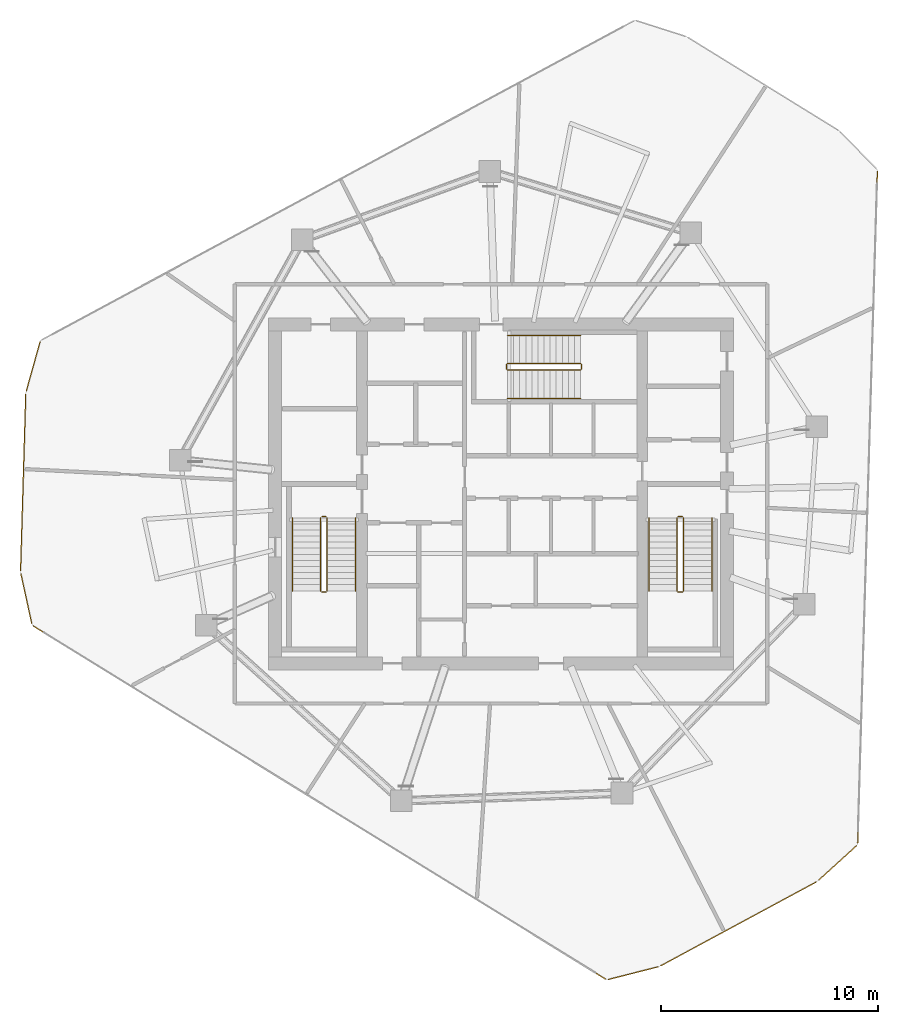
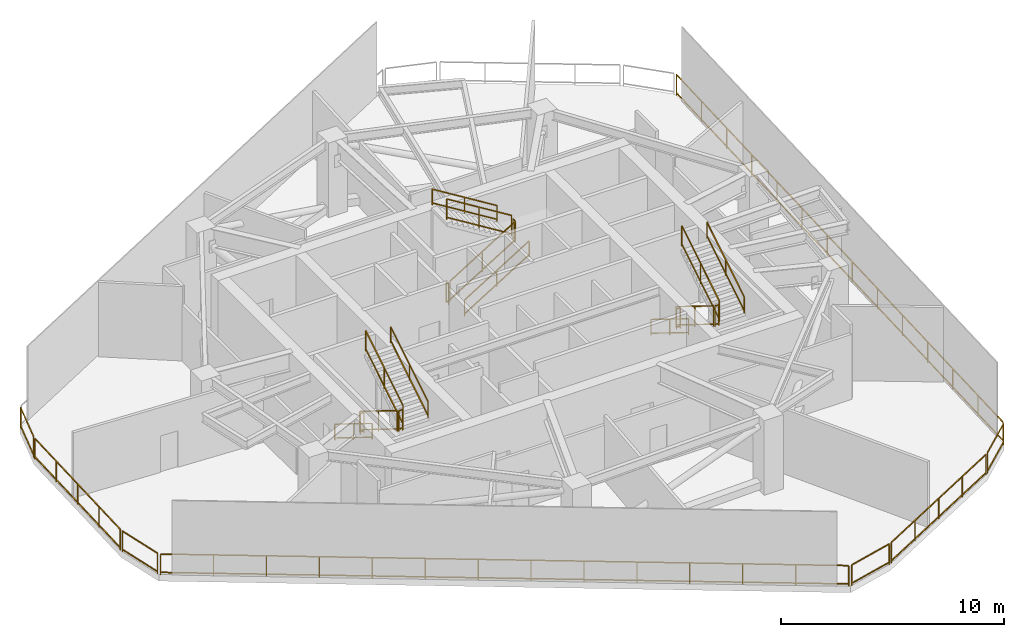
# One storey, part 5 of 6: 26 railings.
"""IFC4 building model written with IfcOpenShell, lengths in metres."""

from ifc_helpers import new_model, si_unit, direction, frame, origin, origin_2d, place, context, subcontext, project, spatial, rectangle, extrude, material, type_object, element, save


model = new_model("IFC4")

# Units and contexts
model_context = context("Model", 3, precision=1e-05, world=origin(), true_north=direction((0.0, 1.0)))
body_context = subcontext(model_context, "Body", "Model", "MODEL_VIEW")
ifc_project = project(units=[si_unit("LENGTHUNIT", "METRE"), si_unit("AREAUNIT", "SQUARE_METRE"), si_unit("VOLUMEUNIT", "CUBIC_METRE"), si_unit("PLANEANGLEUNIT", "RADIAN"), si_unit("MASSUNIT", "GRAM", prefix="KILO")], contexts=[model_context])

# Site, building, storey
site_placement = place(None, origin())
site = spatial("IfcSite", under=ifc_project, at=site_placement, CompositionType="ELEMENT")
building_placement = place(site_placement, origin())
building = spatial("IfcBuilding", under=site, at=building_placement, Name="Qarnah Convention Tower", CompositionType="ELEMENT")
storey_placement = place(building_placement, frame((0.0, 0.0, 172.5)))
storey = spatial("IfcBuildingStorey", under=building, at=storey_placement, Name="L46", CompositionType="ELEMENT", Elevation=172.5)

# Railings
ifc_material_1 = material(Name="Black anodised aluminium", Category="aluminium")
railing_type_1 = type_object("IfcRailingType", Name="RL-EXT-GUARD-1150", PredefinedType="GUARDRAIL", material=ifc_material_1)
railing_1_placement = place(storey_placement, frame((54.52294921875, 41.240966796875, 0.0)))
element("IfcRailing", 1, at=railing_1_placement, inside=storey, type_object=railing_type_1, Name="L46 open refuge and plant deck perimeter guard 03", PredefinedType="GUARDRAIL", context=body_context, shape_type="SweptSolid", body=[
    extrude(rectangle(XDim=0.048095703125, YDim=0.048095703125, at=origin_2d()), frame((0.0, 0.0, 1.1259765625), z_axis=(-0.029333849359, -0.999569670049, 0.0), x_axis=(0.999569670049, -0.029333849359, 0.0)), (0.0, 0.0, 1.0), 30.919189453125),
    extrude(rectangle(XDim=0.048095703125, YDim=0.048095703125, at=origin_2d()), frame((0.0, 0.0, 0.1201171875), z_axis=(-0.029333849359, -0.999569670049, 0.0), x_axis=(0.999569670049, -0.029333849359, 0.0)), (0.0, 0.0, 1.0), 30.919189453125),
    extrude(rectangle(XDim=0.0419921875, YDim=0.0419921875, at=origin_2d()), origin(), (0.0, 0.0, 1.0), 1.101806640625),
    extrude(rectangle(XDim=0.0419921875, YDim=0.0419921875, at=origin_2d()), frame((-0.06982421875, -2.37744140625, 0.0)), (0.0, 0.0, 1.0), 1.101806640625),
    extrude(rectangle(XDim=0.0419921875, YDim=0.0419921875, at=origin_2d()), frame((-0.1396484375, -4.7548828125, 0.0)), (0.0, 0.0, 1.0), 1.101806640625),
    extrude(rectangle(XDim=0.0419921875, YDim=0.0419921875, at=origin_2d()), frame((-0.209228515625, -7.132080078125, 0.0)), (0.0, 0.0, 1.0), 1.101806640625),
    extrude(rectangle(XDim=0.0419921875, YDim=0.0419921875, at=origin_2d()), frame((-0.279052734375, -9.509521484375, 0.0)), (0.0, 0.0, 1.0), 1.101806640625),
    extrude(rectangle(XDim=0.0419921875, YDim=0.0419921875, at=origin_2d()), frame((-0.348876953125, -11.886962890625, 0.0)), (0.0, 0.0, 1.0), 1.101806640625),
    extrude(rectangle(XDim=0.0419921875, YDim=0.0419921875, at=origin_2d()), frame((-0.418701171875, -14.264404296875, 0.0)), (0.0, 0.0, 1.0), 1.101806640625),
    extrude(rectangle(XDim=0.0419921875, YDim=0.0419921875, at=origin_2d()), frame((-0.48828125, -16.6416015625, 0.0)), (0.0, 0.0, 1.0), 1.101806640625),
    extrude(rectangle(XDim=0.0419921875, YDim=0.0419921875, at=origin_2d()), frame((-0.55810546875, -19.01904296875, 0.0)), (0.0, 0.0, 1.0), 1.101806640625),
    extrude(rectangle(XDim=0.0419921875, YDim=0.0419921875, at=origin_2d()), frame((-0.6279296875, -21.396484375, 0.0)), (0.0, 0.0, 1.0), 1.101806640625),
    extrude(rectangle(XDim=0.0419921875, YDim=0.0419921875, at=origin_2d()), frame((-0.69775390625, -23.77392578125, 0.0)), (0.0, 0.0, 1.0), 1.101806640625),
    extrude(rectangle(XDim=0.0419921875, YDim=0.0419921875, at=origin_2d()), frame((-0.767333984375, -26.151123046875, 0.0)), (0.0, 0.0, 1.0), 1.101806640625),
    extrude(rectangle(XDim=0.0419921875, YDim=0.0419921875, at=origin_2d()), frame((-0.837158203125, -28.528564453125, 0.0)), (0.0, 0.0, 1.0), 1.101806640625),
    extrude(rectangle(XDim=0.0419921875, YDim=0.0419921875, at=origin_2d()), frame((-0.906982421875, -30.906005859375, 0.0)), (0.0, 0.0, 1.0), 1.101806640625),
])
railing_2_placement = place(storey_placement, frame((53.554931640625, 10.200927734375, 0.0)))
element("IfcRailing", 2, at=railing_2_placement, inside=storey, type_object=railing_type_1, Name="L46 open refuge and plant deck perimeter guard 04", PredefinedType="GUARDRAIL", context=body_context, shape_type="SweptSolid", body=[
    extrude(rectangle(XDim=0.048095703125, YDim=0.048095703125, at=origin_2d()), frame((0.0, 0.0, 1.1259765625), z_axis=(-0.739577341628, -0.673071582931, 0.0), x_axis=(0.673071582931, -0.739577341628, 0.0)), (0.0, 0.0, 1.0), 2.345703125),
    extrude(rectangle(XDim=0.048095703125, YDim=0.048095703125, at=origin_2d()), frame((0.0, 0.0, 0.1201171875), z_axis=(-0.739577341628, -0.673071582931, 0.0), x_axis=(0.673071582931, -0.739577341628, 0.0)), (0.0, 0.0, 1.0), 2.345703125),
    extrude(rectangle(XDim=0.0419921875, YDim=0.0419921875, at=origin_2d()), origin(), (0.0, 0.0, 1.0), 1.101806640625),
    extrude(rectangle(XDim=0.0419921875, YDim=0.0419921875, at=origin_2d()), frame((-1.73486328125, -1.578857421875, 0.0)), (0.0, 0.0, 1.0), 1.101806640625),
])
railing_3_placement = place(storey_placement, frame((51.69091796875, 8.530029296875, 0.0)))
element("IfcRailing", 3, at=railing_3_placement, inside=storey, type_object=railing_type_1, Name="L46 open refuge and plant deck perimeter guard 05", PredefinedType="GUARDRAIL", context=body_context, shape_type="SweptSolid", body=[
    extrude(rectangle(XDim=0.048095703125, YDim=0.048095703125, at=origin_2d()), frame((0.0, 0.0, 1.1259765625), z_axis=(-0.880291903853, -0.474432465173, 0.0), x_axis=(0.474432465173, -0.880291903853, 0.0)), (0.0, 0.0, 1.0), 8.09619140625),
    extrude(rectangle(XDim=0.048095703125, YDim=0.048095703125, at=origin_2d()), frame((0.0, 0.0, 0.1201171875), z_axis=(-0.880291903853, -0.474432465173, 0.0), x_axis=(0.474432465173, -0.880291903853, 0.0)), (0.0, 0.0, 1.0), 8.09619140625),
    extrude(rectangle(XDim=0.0419921875, YDim=0.0419921875, at=origin_2d()), origin(), (0.0, 0.0, 1.0), 1.101806640625),
    extrude(rectangle(XDim=0.0419921875, YDim=0.0419921875, at=origin_2d()), frame((-1.78173828125, -0.960205078125, 0.0)), (0.0, 0.0, 1.0), 1.101806640625),
    extrude(rectangle(XDim=0.0419921875, YDim=0.0419921875, at=origin_2d()), frame((-3.5634765625, -1.92041015625, 0.0)), (0.0, 0.0, 1.0), 1.101806640625),
    extrude(rectangle(XDim=0.0419921875, YDim=0.0419921875, at=origin_2d()), frame((-5.34521484375, -2.880859375, 0.0)), (0.0, 0.0, 1.0), 1.101806640625),
    extrude(rectangle(XDim=0.0419921875, YDim=0.0419921875, at=origin_2d()), frame((-7.126953125, -3.841064453125, 0.0)), (0.0, 0.0, 1.0), 1.101806640625),
])
railing_4_placement = place(storey_placement, frame((44.416015625, 4.631103515625, 0.0)))
element("IfcRailing", 4, at=railing_4_placement, inside=storey, type_object=railing_type_1, Name="L46 open refuge and plant deck perimeter guard 06", PredefinedType="GUARDRAIL", context=body_context, shape_type="SweptSolid", body=[
    extrude(rectangle(XDim=0.048095703125, YDim=0.048095703125, at=origin_2d()), frame((0.0, 0.0, 1.1259765625), z_axis=(-0.96901746739, -0.24699220209, 0.0), x_axis=(0.24699220209, -0.96901746739, 0.0)), (0.0, 0.0, 1.0), 2.3447265625),
    extrude(rectangle(XDim=0.048095703125, YDim=0.048095703125, at=origin_2d()), frame((0.0, 0.0, 0.1201171875), z_axis=(-0.96901746739, -0.24699220209, 0.0), x_axis=(0.24699220209, -0.96901746739, 0.0)), (0.0, 0.0, 1.0), 2.3447265625),
    extrude(rectangle(XDim=0.0419921875, YDim=0.0419921875, at=origin_2d()), origin(), (0.0, 0.0, 1.0), 1.101806640625),
    extrude(rectangle(XDim=0.0419921875, YDim=0.0419921875, at=origin_2d()), frame((-2.27197265625, -0.5791015625, 0.0)), (0.0, 0.0, 1.0), 1.101806640625),
])
railing_5_placement = place(storey_placement, frame((41.998046875, 4.073974609375, 0.0)))
element("IfcRailing", 5, at=railing_5_placement, inside=storey, type_object=railing_type_1, Name="L46 open refuge and plant deck perimeter guard 07", PredefinedType="GUARDRAIL", context=body_context, shape_type="SweptSolid", body=[
    extrude(rectangle(XDim=0.048095703125, YDim=0.048095703125, at=origin_2d()), frame((0.0, 0.0, 1.1259765625), z_axis=(-0.851001851622, 0.525162687684, 0.0), x_axis=(-0.525162687684, -0.851001851622, 0.0)), (0.0, 0.0, 1.0), 30.919921875),
    extrude(rectangle(XDim=0.048095703125, YDim=0.048095703125, at=origin_2d()), frame((0.0, 0.0, 0.1201171875), z_axis=(-0.851001851622, 0.525162687684, 0.0), x_axis=(-0.525162687684, -0.851001851622, 0.0)), (0.0, 0.0, 1.0), 30.919921875),
    extrude(rectangle(XDim=0.0419921875, YDim=0.0419921875, at=origin_2d()), origin(), (0.0, 0.0, 1.0), 1.101806640625),
    extrude(rectangle(XDim=0.0419921875, YDim=0.0419921875, at=origin_2d()), frame((-2.024169921875, 1.2490234375, 0.0)), (0.0, 0.0, 1.0), 1.101806640625),
    extrude(rectangle(XDim=0.0419921875, YDim=0.0419921875, at=origin_2d()), frame((-4.048095703125, 2.498046875, 0.0)), (0.0, 0.0, 1.0), 1.101806640625),
    extrude(rectangle(XDim=0.0419921875, YDim=0.0419921875, at=origin_2d()), frame((-6.072265625, 3.747314453125, 0.0)), (0.0, 0.0, 1.0), 1.101806640625),
    extrude(rectangle(XDim=0.0419921875, YDim=0.0419921875, at=origin_2d()), frame((-8.09619140625, 4.996337890625, 0.0)), (0.0, 0.0, 1.0), 1.101806640625),
    extrude(rectangle(XDim=0.0419921875, YDim=0.0419921875, at=origin_2d()), frame((-10.120361328125, 6.245361328125, 0.0)), (0.0, 0.0, 1.0), 1.101806640625),
    extrude(rectangle(XDim=0.0419921875, YDim=0.0419921875, at=origin_2d()), frame((-12.14453125, 7.494384765625, 0.0)), (0.0, 0.0, 1.0), 1.101806640625),
    extrude(rectangle(XDim=0.0419921875, YDim=0.0419921875, at=origin_2d()), frame((-14.16845703125, 8.74365234375, 0.0)), (0.0, 0.0, 1.0), 1.101806640625),
    extrude(rectangle(XDim=0.0419921875, YDim=0.0419921875, at=origin_2d()), frame((-16.192626953125, 9.99267578125, 0.0)), (0.0, 0.0, 1.0), 1.101806640625),
    extrude(rectangle(XDim=0.0419921875, YDim=0.0419921875, at=origin_2d()), frame((-18.216796875, 11.24169921875, 0.0)), (0.0, 0.0, 1.0), 1.101806640625),
    extrude(rectangle(XDim=0.0419921875, YDim=0.0419921875, at=origin_2d()), frame((-20.24072265625, 12.49072265625, 0.0)), (0.0, 0.0, 1.0), 1.101806640625),
    extrude(rectangle(XDim=0.0419921875, YDim=0.0419921875, at=origin_2d()), frame((-22.264892578125, 13.739990234375, 0.0)), (0.0, 0.0, 1.0), 1.101806640625),
    extrude(rectangle(XDim=0.0419921875, YDim=0.0419921875, at=origin_2d()), frame((-24.288818359375, 14.989013671875, 0.0)), (0.0, 0.0, 1.0), 1.101806640625),
    extrude(rectangle(XDim=0.0419921875, YDim=0.0419921875, at=origin_2d()), frame((-26.31298828125, 16.238037109375, 0.0)), (0.0, 0.0, 1.0), 1.101806640625),
])
railing_6_placement = place(storey_placement, frame((15.60009765625, 20.431884765625, 0.0)))
element("IfcRailing", 6, at=railing_6_placement, inside=storey, type_object=railing_type_1, Name="L46 open refuge and plant deck perimeter guard 08", PredefinedType="GUARDRAIL", context=body_context, shape_type="SweptSolid", body=[
    extrude(rectangle(XDim=0.048095703125, YDim=0.048095703125, at=origin_2d()), frame((0.0, 0.0, 1.1259765625), z_axis=(-0.213116505786, 0.977026793369, 0.0), x_axis=(-0.977026793369, -0.213116505786, 0.0)), (0.0, 0.0, 1.0), 2.34619140625),
    extrude(rectangle(XDim=0.048095703125, YDim=0.048095703125, at=origin_2d()), frame((0.0, 0.0, 0.1201171875), z_axis=(-0.213116505786, 0.977026793369, 0.0), x_axis=(-0.977026793369, -0.213116505786, 0.0)), (0.0, 0.0, 1.0), 2.34619140625),
    extrude(rectangle(XDim=0.0419921875, YDim=0.0419921875, at=origin_2d()), origin(), (0.0, 0.0, 1.0), 1.101806640625),
    extrude(rectangle(XDim=0.0419921875, YDim=0.0419921875, at=origin_2d()), frame((-0.5, 2.292236328125, 0.0)), (0.0, 0.0, 1.0), 1.101806640625),
])
railing_7_placement = place(storey_placement, frame((15.0849609375, 22.882080078125, 0.0)))
element("IfcRailing", 7, at=railing_7_placement, inside=storey, type_object=railing_type_1, Name="L46 open refuge and plant deck perimeter guard 09", PredefinedType="GUARDRAIL", context=body_context, shape_type="SweptSolid", body=[
    extrude(rectangle(XDim=0.048095703125, YDim=0.048095703125, at=origin_2d()), frame((0.0, 0.0, 1.1259765625), z_axis=(0.029403482683, 0.999567624129, 0.0), x_axis=(-0.999567624129, 0.029403482683, 0.0)), (0.0, 0.0, 1.0), 8.095458984375),
    extrude(rectangle(XDim=0.048095703125, YDim=0.048095703125, at=origin_2d()), frame((0.0, 0.0, 0.1201171875), z_axis=(0.029403482683, 0.999567624129, 0.0), x_axis=(-0.999567624129, 0.029403482683, 0.0)), (0.0, 0.0, 1.0), 8.095458984375),
    extrude(rectangle(XDim=0.0419921875, YDim=0.0419921875, at=origin_2d()), origin(), (0.0, 0.0, 1.0), 1.101806640625),
    extrude(rectangle(XDim=0.0419921875, YDim=0.0419921875, at=origin_2d()), frame((0.0595703125, 2.02294921875, 0.0)), (0.0, 0.0, 1.0), 1.101806640625),
    extrude(rectangle(XDim=0.0419921875, YDim=0.0419921875, at=origin_2d()), frame((0.119140625, 4.0458984375, 0.0)), (0.0, 0.0, 1.0), 1.101806640625),
    extrude(rectangle(XDim=0.0419921875, YDim=0.0419921875, at=origin_2d()), frame((0.178466796875, 6.069091796875, 0.0)), (0.0, 0.0, 1.0), 1.101806640625),
    extrude(rectangle(XDim=0.0419921875, YDim=0.0419921875, at=origin_2d()), frame((0.238037109375, 8.092041015625, 0.0)), (0.0, 0.0, 1.0), 1.101806640625),
])
railing_8_placement = place(storey_placement, frame((15.346923828125, 31.131103515625, 0.0)))
element("IfcRailing", 8, at=railing_8_placement, inside=storey, type_object=railing_type_1, Name="L46 open refuge and plant deck perimeter guard 10", PredefinedType="GUARDRAIL", context=body_context, shape_type="SweptSolid", body=[
    extrude(rectangle(XDim=0.048095703125, YDim=0.048095703125, at=origin_2d()), frame((0.0, 0.0, 1.1259765625), z_axis=(0.269865397787, 0.96289805643, 0.0), x_axis=(-0.96289805643, 0.269865397787, 0.0)), (0.0, 0.0, 1.0), 2.345703125),
    extrude(rectangle(XDim=0.048095703125, YDim=0.048095703125, at=origin_2d()), frame((0.0, 0.0, 0.1201171875), z_axis=(0.269865397787, 0.96289805643, 0.0), x_axis=(-0.96289805643, 0.269865397787, 0.0)), (0.0, 0.0, 1.0), 2.345703125),
    extrude(rectangle(XDim=0.0419921875, YDim=0.0419921875, at=origin_2d()), origin(), (0.0, 0.0, 1.0), 1.101806640625),
    extrude(rectangle(XDim=0.0419921875, YDim=0.0419921875, at=origin_2d()), frame((0.633056640625, 2.2587890625, 0.0)), (0.0, 0.0, 1.0), 1.101806640625),
])
ifc_material_2 = material(Name="Structural steel S355JR", Category="steel")
railing_type_2 = type_object("IfcRailingType", Name="RL-STAIR-GUARD-1150", PredefinedType="GUARDRAIL", material=ifc_material_2)
railing_9_placement = place(storey_placement, frame((28.89990234375, 25.300048828125, 0.173095703125)))
element("IfcRailing", 9, at=railing_9_placement, inside=storey, type_object=railing_type_2, Name="L46 ST-1 stair guard 1", PredefinedType="GUARDRAIL", context=body_context, shape_type="SweptSolid", body=[
    extrude(rectangle(XDim=0.048095703125, YDim=0.048095703125, at=origin_2d()), frame((0.0, 0.0, 1.1259765625), z_axis=(0.0, -0.850623216509, 0.525775754039), x_axis=(1.0, 0.0, 0.0)), (0.0, 0.0, 1.0), 3.9501953125),
    extrude(rectangle(XDim=0.048095703125, YDim=0.048095703125, at=origin_2d()), frame((0.0, 0.0, 0.1201171875), z_axis=(0.0, -0.850623216509, 0.525775754039), x_axis=(1.0, 0.0, 0.0)), (0.0, 0.0, 1.0), 3.9501953125),
    extrude(rectangle(XDim=0.0419921875, YDim=0.0419921875, at=origin_2d()), origin(), (0.0, 0.0, 1.0), 1.101806640625),
    extrude(rectangle(XDim=0.0419921875, YDim=0.0419921875, at=origin_2d()), frame((0.0, -1.68017578125, 1.03857421875)), (0.0, 0.0, 1.0), 1.101806640625),
    extrude(rectangle(XDim=0.0419921875, YDim=0.0419921875, at=origin_2d()), frame((0.0, -3.360107421875, 2.076904296875)), (0.0, 0.0, 1.0), 1.101806640625),
])
railing_10_placement = place(storey_placement, frame((28.949951171875, 21.889892578125, 2.25)))
element("IfcRailing", 10, at=railing_10_placement, inside=storey, type_object=railing_type_2, Name="L46 ST-1 stair guard 2", PredefinedType="GUARDRAIL", context=body_context, shape_type="SweptSolid", body=[
    extrude(rectangle(XDim=0.048095703125, YDim=0.048095703125, at=origin_2d()), frame((0.0, 0.0, 1.1259765625), z_axis=(1.0, 0.0, 0.0), x_axis=(0.0, 1.0, 0.0)), (0.0, 0.0, 1.0), 0.199951171875),
    extrude(rectangle(XDim=0.048095703125, YDim=0.048095703125, at=origin_2d()), frame((0.0, 0.0, 0.1201171875), z_axis=(1.0, 0.0, 0.0), x_axis=(0.0, 1.0, 0.0)), (0.0, 0.0, 1.0), 0.199951171875),
    extrude(rectangle(XDim=0.0419921875, YDim=0.0419921875, at=origin_2d()), origin(), (0.0, 0.0, 1.0), 1.101806640625),
    extrude(rectangle(XDim=0.0419921875, YDim=0.0419921875, at=origin_2d()), frame((0.199951171875, 0.0, 0.0)), (0.0, 0.0, 1.0), 1.101806640625),
])
railing_11_placement = place(storey_placement, frame((29.199951171875, 21.93994140625, 2.423095703125)))
element("IfcRailing", 11, at=railing_11_placement, inside=storey, type_object=railing_type_2, Name="L46 ST-1 stair guard 3", PredefinedType="GUARDRAIL", context=body_context, shape_type="SweptSolid", body=[
    extrude(rectangle(XDim=0.048095703125, YDim=0.048095703125, at=origin_2d()), frame((0.0, 0.0, 1.1259765625), z_axis=(0.0, 0.850623216509, 0.525775754039), x_axis=(-1.0, 0.0, 0.0)), (0.0, 0.0, 1.0), 3.9501953125),
    extrude(rectangle(XDim=0.048095703125, YDim=0.048095703125, at=origin_2d()), frame((0.0, 0.0, 0.1201171875), z_axis=(0.0, 0.850623216509, 0.525775754039), x_axis=(-1.0, 0.0, 0.0)), (0.0, 0.0, 1.0), 3.9501953125),
    extrude(rectangle(XDim=0.0419921875, YDim=0.0419921875, at=origin_2d()), origin(), (0.0, 0.0, 1.0), 1.101806640625),
    extrude(rectangle(XDim=0.0419921875, YDim=0.0419921875, at=origin_2d()), frame((0.0, 1.68017578125, 1.03857421875)), (0.0, 0.0, 1.0), 1.101806640625),
    extrude(rectangle(XDim=0.0419921875, YDim=0.0419921875, at=origin_2d()), frame((0.0, 3.360107421875, 2.076904296875)), (0.0, 0.0, 1.0), 1.101806640625),
])
railing_12_placement = place(storey_placement, frame((28.949951171875, 25.35009765625, 0.0)))
element("IfcRailing", 12, at=railing_12_placement, inside=storey, type_object=railing_type_2, Name="L46 ST-1 stair guard 4", PredefinedType="GUARDRAIL", context=body_context, shape_type="SweptSolid", body=[
    extrude(rectangle(XDim=0.048095703125, YDim=0.048095703125, at=origin_2d()), frame((0.0, 0.0, 1.1259765625), z_axis=(1.0, 0.0, 0.0), x_axis=(0.0, 1.0, 0.0)), (0.0, 0.0, 1.0), 0.199951171875),
    extrude(rectangle(XDim=0.048095703125, YDim=0.048095703125, at=origin_2d()), frame((0.0, 0.0, 0.1201171875), z_axis=(1.0, 0.0, 0.0), x_axis=(0.0, 1.0, 0.0)), (0.0, 0.0, 1.0), 0.199951171875),
    extrude(rectangle(XDim=0.0419921875, YDim=0.0419921875, at=origin_2d()), origin(), (0.0, 0.0, 1.0), 1.101806640625),
    extrude(rectangle(XDim=0.0419921875, YDim=0.0419921875, at=origin_2d()), frame((0.199951171875, 0.0, 0.0)), (0.0, 0.0, 1.0), 1.101806640625),
])
railing_13_placement = place(storey_placement, frame((45.300048828125, 25.300048828125, 0.173095703125)))
element("IfcRailing", 13, at=railing_13_placement, inside=storey, type_object=railing_type_2, Name="L46 ST-2 stair guard 1", PredefinedType="GUARDRAIL", context=body_context, shape_type="SweptSolid", body=[
    extrude(rectangle(XDim=0.048095703125, YDim=0.048095703125, at=origin_2d()), frame((0.0, 0.0, 1.1259765625), z_axis=(0.0, -0.850623216509, 0.525775754039), x_axis=(1.0, 0.0, 0.0)), (0.0, 0.0, 1.0), 3.9501953125),
    extrude(rectangle(XDim=0.048095703125, YDim=0.048095703125, at=origin_2d()), frame((0.0, 0.0, 0.1201171875), z_axis=(0.0, -0.850623216509, 0.525775754039), x_axis=(1.0, 0.0, 0.0)), (0.0, 0.0, 1.0), 3.9501953125),
    extrude(rectangle(XDim=0.0419921875, YDim=0.0419921875, at=origin_2d()), origin(), (0.0, 0.0, 1.0), 1.101806640625),
    extrude(rectangle(XDim=0.0419921875, YDim=0.0419921875, at=origin_2d()), frame((0.0, -1.68017578125, 1.03857421875)), (0.0, 0.0, 1.0), 1.101806640625),
    extrude(rectangle(XDim=0.0419921875, YDim=0.0419921875, at=origin_2d()), frame((0.0, -3.360107421875, 2.076904296875)), (0.0, 0.0, 1.0), 1.101806640625),
])
railing_14_placement = place(storey_placement, frame((45.35009765625, 21.889892578125, 2.25)))
element("IfcRailing", 14, at=railing_14_placement, inside=storey, type_object=railing_type_2, Name="L46 ST-2 stair guard 2", PredefinedType="GUARDRAIL", context=body_context, shape_type="SweptSolid", body=[
    extrude(rectangle(XDim=0.048095703125, YDim=0.048095703125, at=origin_2d()), frame((0.0, 0.0, 1.1259765625), z_axis=(1.0, 0.0, 0.0), x_axis=(0.0, 1.0, 0.0)), (0.0, 0.0, 1.0), 0.199951171875),
    extrude(rectangle(XDim=0.048095703125, YDim=0.048095703125, at=origin_2d()), frame((0.0, 0.0, 0.1201171875), z_axis=(1.0, 0.0, 0.0), x_axis=(0.0, 1.0, 0.0)), (0.0, 0.0, 1.0), 0.199951171875),
    extrude(rectangle(XDim=0.0419921875, YDim=0.0419921875, at=origin_2d()), origin(), (0.0, 0.0, 1.0), 1.101806640625),
    extrude(rectangle(XDim=0.0419921875, YDim=0.0419921875, at=origin_2d()), frame((0.199951171875, 0.0, 0.0)), (0.0, 0.0, 1.0), 1.101806640625),
])
railing_15_placement = place(storey_placement, frame((45.60009765625, 21.93994140625, 2.423095703125)))
element("IfcRailing", 15, at=railing_15_placement, inside=storey, type_object=railing_type_2, Name="L46 ST-2 stair guard 3", PredefinedType="GUARDRAIL", context=body_context, shape_type="SweptSolid", body=[
    extrude(rectangle(XDim=0.048095703125, YDim=0.048095703125, at=origin_2d()), frame((0.0, 0.0, 1.1259765625), z_axis=(0.0, 0.850623216509, 0.525775754039), x_axis=(-1.0, 0.0, 0.0)), (0.0, 0.0, 1.0), 3.9501953125),
    extrude(rectangle(XDim=0.048095703125, YDim=0.048095703125, at=origin_2d()), frame((0.0, 0.0, 0.1201171875), z_axis=(0.0, 0.850623216509, 0.525775754039), x_axis=(-1.0, 0.0, 0.0)), (0.0, 0.0, 1.0), 3.9501953125),
    extrude(rectangle(XDim=0.0419921875, YDim=0.0419921875, at=origin_2d()), origin(), (0.0, 0.0, 1.0), 1.101806640625),
    extrude(rectangle(XDim=0.0419921875, YDim=0.0419921875, at=origin_2d()), frame((0.0, 1.68017578125, 1.03857421875)), (0.0, 0.0, 1.0), 1.101806640625),
    extrude(rectangle(XDim=0.0419921875, YDim=0.0419921875, at=origin_2d()), frame((0.0, 3.360107421875, 2.076904296875)), (0.0, 0.0, 1.0), 1.101806640625),
])
railing_16_placement = place(storey_placement, frame((45.35009765625, 25.35009765625, 0.0)))
element("IfcRailing", 16, at=railing_16_placement, inside=storey, type_object=railing_type_2, Name="L46 ST-2 stair guard 4", PredefinedType="GUARDRAIL", context=body_context, shape_type="SweptSolid", body=[
    extrude(rectangle(XDim=0.048095703125, YDim=0.048095703125, at=origin_2d()), frame((0.0, 0.0, 1.1259765625), z_axis=(1.0, 0.0, 0.0), x_axis=(0.0, 1.0, 0.0)), (0.0, 0.0, 1.0), 0.199951171875),
    extrude(rectangle(XDim=0.048095703125, YDim=0.048095703125, at=origin_2d()), frame((0.0, 0.0, 0.1201171875), z_axis=(1.0, 0.0, 0.0), x_axis=(0.0, 1.0, 0.0)), (0.0, 0.0, 1.0), 0.199951171875),
    extrude(rectangle(XDim=0.0419921875, YDim=0.0419921875, at=origin_2d()), origin(), (0.0, 0.0, 1.0), 1.101806640625),
    extrude(rectangle(XDim=0.0419921875, YDim=0.0419921875, at=origin_2d()), frame((0.199951171875, 0.0, 0.0)), (0.0, 0.0, 1.0), 1.101806640625),
])
railing_17_placement = place(storey_placement, frame((37.5, 32.10009765625, 0.173095703125)))
element("IfcRailing", 17, at=railing_17_placement, inside=storey, type_object=railing_type_2, Name="L46 ST-3 stair guard 1", PredefinedType="GUARDRAIL", context=body_context, shape_type="SweptSolid", body=[
    extrude(rectangle(XDim=0.048095703125, YDim=0.048095703125, at=origin_2d()), frame((0.0, 0.0, 1.1259765625), z_axis=(0.850623216509, 0.0, 0.525775754039), x_axis=(0.0, 1.0, 0.0)), (0.0, 0.0, 1.0), 3.9501953125),
    extrude(rectangle(XDim=0.048095703125, YDim=0.048095703125, at=origin_2d()), frame((0.0, 0.0, 0.1201171875), z_axis=(0.850623216509, 0.0, 0.525775754039), x_axis=(0.0, 1.0, 0.0)), (0.0, 0.0, 1.0), 3.9501953125),
    extrude(rectangle(XDim=0.0419921875, YDim=0.0419921875, at=origin_2d()), origin(), (0.0, 0.0, 1.0), 1.101806640625),
    extrude(rectangle(XDim=0.0419921875, YDim=0.0419921875, at=origin_2d()), frame((1.68017578125, 0.0, 1.03857421875)), (0.0, 0.0, 1.0), 1.101806640625),
    extrude(rectangle(XDim=0.0419921875, YDim=0.0419921875, at=origin_2d()), frame((3.360107421875, 0.0, 2.076904296875)), (0.0, 0.0, 1.0), 1.101806640625),
])
railing_18_placement = place(storey_placement, frame((40.909912109375, 32.14990234375, 2.25)))
element("IfcRailing", 18, at=railing_18_placement, inside=storey, type_object=railing_type_2, Name="L46 ST-3 stair guard 2", PredefinedType="GUARDRAIL", context=body_context, shape_type="SweptSolid", body=[
    extrude(rectangle(XDim=0.048095703125, YDim=0.048095703125, at=origin_2d()), frame((0.0, 0.0, 1.1259765625), z_axis=(0.0, 1.0, 0.0), x_axis=(-1.0, 0.0, 0.0)), (0.0, 0.0, 1.0), 0.2001953125),
    extrude(rectangle(XDim=0.048095703125, YDim=0.048095703125, at=origin_2d()), frame((0.0, 0.0, 0.1201171875), z_axis=(0.0, 1.0, 0.0), x_axis=(-1.0, 0.0, 0.0)), (0.0, 0.0, 1.0), 0.2001953125),
    extrude(rectangle(XDim=0.0419921875, YDim=0.0419921875, at=origin_2d()), origin(), (0.0, 0.0, 1.0), 1.101806640625),
    extrude(rectangle(XDim=0.0419921875, YDim=0.0419921875, at=origin_2d()), frame((0.0, 0.2001953125, 0.0)), (0.0, 0.0, 1.0), 1.101806640625),
])
railing_19_placement = place(storey_placement, frame((40.860107421875, 32.39990234375, 2.423095703125)))
element("IfcRailing", 19, at=railing_19_placement, inside=storey, type_object=railing_type_2, Name="L46 ST-3 stair guard 3", PredefinedType="GUARDRAIL", context=body_context, shape_type="SweptSolid", body=[
    extrude(rectangle(XDim=0.048095703125, YDim=0.048095703125, at=origin_2d()), frame((0.0, 0.0, 1.1259765625), z_axis=(-0.850623216509, 0.0, 0.525775754039), x_axis=(0.0, -1.0, 0.0)), (0.0, 0.0, 1.0), 3.9501953125),
    extrude(rectangle(XDim=0.048095703125, YDim=0.048095703125, at=origin_2d()), frame((0.0, 0.0, 0.1201171875), z_axis=(-0.850623216509, 0.0, 0.525775754039), x_axis=(0.0, -1.0, 0.0)), (0.0, 0.0, 1.0), 3.9501953125),
    extrude(rectangle(XDim=0.0419921875, YDim=0.0419921875, at=origin_2d()), origin(), (0.0, 0.0, 1.0), 1.101806640625),
    extrude(rectangle(XDim=0.0419921875, YDim=0.0419921875, at=origin_2d()), frame((-1.68017578125, 0.0, 1.03857421875)), (0.0, 0.0, 1.0), 1.101806640625),
    extrude(rectangle(XDim=0.0419921875, YDim=0.0419921875, at=origin_2d()), frame((-3.360107421875, 0.0, 2.076904296875)), (0.0, 0.0, 1.0), 1.101806640625),
])
railing_20_placement = place(storey_placement, frame((37.449951171875, 32.14990234375, 0.0)))
element("IfcRailing", 20, at=railing_20_placement, inside=storey, type_object=railing_type_2, Name="L46 ST-3 stair guard 4", PredefinedType="GUARDRAIL", context=body_context, shape_type="SweptSolid", body=[
    extrude(rectangle(XDim=0.048095703125, YDim=0.048095703125, at=origin_2d()), frame((0.0, 0.0, 1.1259765625), z_axis=(0.0, 1.0, 0.0), x_axis=(-1.0, 0.0, 0.0)), (0.0, 0.0, 1.0), 0.2001953125),
    extrude(rectangle(XDim=0.048095703125, YDim=0.048095703125, at=origin_2d()), frame((0.0, 0.0, 0.1201171875), z_axis=(0.0, 1.0, 0.0), x_axis=(-1.0, 0.0, 0.0)), (0.0, 0.0, 1.0), 0.2001953125),
    extrude(rectangle(XDim=0.0419921875, YDim=0.0419921875, at=origin_2d()), origin(), (0.0, 0.0, 1.0), 1.101806640625),
    extrude(rectangle(XDim=0.0419921875, YDim=0.0419921875, at=origin_2d()), frame((0.0, 0.2001953125, 0.0)), (0.0, 0.0, 1.0), 1.101806640625),
])
railing_type_3 = type_object("IfcRailingType", Name="RL-STAIR-HAND-900", PredefinedType="HANDRAIL", material=ifc_material_2)
railing_21_placement = place(storey_placement, frame((27.60009765625, 25.300048828125, 0.173095703125)))
element("IfcRailing", 21, at=railing_21_placement, inside=storey, type_object=railing_type_3, Name="L46 ST-1 stair handrail 1", PredefinedType="HANDRAIL", context=body_context, shape_type="SweptSolid", body=[
    extrude(rectangle(XDim=0.048095703125, YDim=0.048095703125, at=origin_2d()), frame((0.0, 0.0, 0.8759765625), z_axis=(0.0, -0.850623216509, 0.525775754039), x_axis=(1.0, 0.0, 0.0)), (0.0, 0.0, 1.0), 3.9501953125),
    extrude(rectangle(XDim=0.048095703125, YDim=0.048095703125, at=origin_2d()), frame((0.0, 0.0, 0.1201171875), z_axis=(0.0, -0.850623216509, 0.525775754039), x_axis=(1.0, 0.0, 0.0)), (0.0, 0.0, 1.0), 3.9501953125),
    extrude(rectangle(XDim=0.0419921875, YDim=0.0419921875, at=origin_2d()), origin(), (0.0, 0.0, 1.0), 0.851806640625),
    extrude(rectangle(XDim=0.0419921875, YDim=0.0419921875, at=origin_2d()), frame((0.0, -1.68017578125, 1.03857421875)), (0.0, 0.0, 1.0), 0.851806640625),
    extrude(rectangle(XDim=0.0419921875, YDim=0.0419921875, at=origin_2d()), frame((0.0, -3.360107421875, 2.076904296875)), (0.0, 0.0, 1.0), 0.851806640625),
])
railing_22_placement = place(storey_placement, frame((30.5, 21.93994140625, 2.423095703125)))
element("IfcRailing", 22, at=railing_22_placement, inside=storey, type_object=railing_type_3, Name="L46 ST-1 stair handrail 2", PredefinedType="HANDRAIL", context=body_context, shape_type="SweptSolid", body=[
    extrude(rectangle(XDim=0.048095703125, YDim=0.048095703125, at=origin_2d()), frame((0.0, 0.0, 0.8759765625), z_axis=(0.0, 0.850623216509, 0.525775754039), x_axis=(-1.0, 0.0, 0.0)), (0.0, 0.0, 1.0), 3.9501953125),
    extrude(rectangle(XDim=0.048095703125, YDim=0.048095703125, at=origin_2d()), frame((0.0, 0.0, 0.1201171875), z_axis=(0.0, 0.850623216509, 0.525775754039), x_axis=(-1.0, 0.0, 0.0)), (0.0, 0.0, 1.0), 3.9501953125),
    extrude(rectangle(XDim=0.0419921875, YDim=0.0419921875, at=origin_2d()), origin(), (0.0, 0.0, 1.0), 0.851806640625),
    extrude(rectangle(XDim=0.0419921875, YDim=0.0419921875, at=origin_2d()), frame((0.0, 1.68017578125, 1.03857421875)), (0.0, 0.0, 1.0), 0.851806640625),
    extrude(rectangle(XDim=0.0419921875, YDim=0.0419921875, at=origin_2d()), frame((0.0, 3.360107421875, 2.076904296875)), (0.0, 0.0, 1.0), 0.851806640625),
])
railing_23_placement = place(storey_placement, frame((44.0, 25.300048828125, 0.173095703125)))
element("IfcRailing", 23, at=railing_23_placement, inside=storey, type_object=railing_type_3, Name="L46 ST-2 stair handrail 1", PredefinedType="HANDRAIL", context=body_context, shape_type="SweptSolid", body=[
    extrude(rectangle(XDim=0.048095703125, YDim=0.048095703125, at=origin_2d()), frame((0.0, 0.0, 0.8759765625), z_axis=(0.0, -0.850623216509, 0.525775754039), x_axis=(1.0, 0.0, 0.0)), (0.0, 0.0, 1.0), 3.9501953125),
    extrude(rectangle(XDim=0.048095703125, YDim=0.048095703125, at=origin_2d()), frame((0.0, 0.0, 0.1201171875), z_axis=(0.0, -0.850623216509, 0.525775754039), x_axis=(1.0, 0.0, 0.0)), (0.0, 0.0, 1.0), 3.9501953125),
    extrude(rectangle(XDim=0.0419921875, YDim=0.0419921875, at=origin_2d()), origin(), (0.0, 0.0, 1.0), 0.851806640625),
    extrude(rectangle(XDim=0.0419921875, YDim=0.0419921875, at=origin_2d()), frame((0.0, -1.68017578125, 1.03857421875)), (0.0, 0.0, 1.0), 0.851806640625),
    extrude(rectangle(XDim=0.0419921875, YDim=0.0419921875, at=origin_2d()), frame((0.0, -3.360107421875, 2.076904296875)), (0.0, 0.0, 1.0), 0.851806640625),
])
railing_24_placement = place(storey_placement, frame((46.89990234375, 21.93994140625, 2.423095703125)))
element("IfcRailing", 24, at=railing_24_placement, inside=storey, type_object=railing_type_3, Name="L46 ST-2 stair handrail 2", PredefinedType="HANDRAIL", context=body_context, shape_type="SweptSolid", body=[
    extrude(rectangle(XDim=0.048095703125, YDim=0.048095703125, at=origin_2d()), frame((0.0, 0.0, 0.8759765625), z_axis=(0.0, 0.850623216509, 0.525775754039), x_axis=(-1.0, 0.0, 0.0)), (0.0, 0.0, 1.0), 3.9501953125),
    extrude(rectangle(XDim=0.048095703125, YDim=0.048095703125, at=origin_2d()), frame((0.0, 0.0, 0.1201171875), z_axis=(0.0, 0.850623216509, 0.525775754039), x_axis=(-1.0, 0.0, 0.0)), (0.0, 0.0, 1.0), 3.9501953125),
    extrude(rectangle(XDim=0.0419921875, YDim=0.0419921875, at=origin_2d()), origin(), (0.0, 0.0, 1.0), 0.851806640625),
    extrude(rectangle(XDim=0.0419921875, YDim=0.0419921875, at=origin_2d()), frame((0.0, 1.68017578125, 1.03857421875)), (0.0, 0.0, 1.0), 0.851806640625),
    extrude(rectangle(XDim=0.0419921875, YDim=0.0419921875, at=origin_2d()), frame((0.0, 3.360107421875, 2.076904296875)), (0.0, 0.0, 1.0), 0.851806640625),
])
railing_25_placement = place(storey_placement, frame((37.5, 30.800048828125, 0.173095703125)))
element("IfcRailing", 25, at=railing_25_placement, inside=storey, type_object=railing_type_3, Name="L46 ST-3 stair handrail 1", PredefinedType="HANDRAIL", context=body_context, shape_type="SweptSolid", body=[
    extrude(rectangle(XDim=0.048095703125, YDim=0.048095703125, at=origin_2d()), frame((0.0, 0.0, 0.8759765625), z_axis=(0.850623216509, 0.0, 0.525775754039), x_axis=(0.0, 1.0, 0.0)), (0.0, 0.0, 1.0), 3.9501953125),
    extrude(rectangle(XDim=0.048095703125, YDim=0.048095703125, at=origin_2d()), frame((0.0, 0.0, 0.1201171875), z_axis=(0.850623216509, 0.0, 0.525775754039), x_axis=(0.0, 1.0, 0.0)), (0.0, 0.0, 1.0), 3.9501953125),
    extrude(rectangle(XDim=0.0419921875, YDim=0.0419921875, at=origin_2d()), origin(), (0.0, 0.0, 1.0), 0.851806640625),
    extrude(rectangle(XDim=0.0419921875, YDim=0.0419921875, at=origin_2d()), frame((1.68017578125, 0.0, 1.03857421875)), (0.0, 0.0, 1.0), 0.851806640625),
    extrude(rectangle(XDim=0.0419921875, YDim=0.0419921875, at=origin_2d()), frame((3.360107421875, 0.0, 2.076904296875)), (0.0, 0.0, 1.0), 0.851806640625),
])
railing_26_placement = place(storey_placement, frame((40.860107421875, 33.699951171875, 2.423095703125)))
element("IfcRailing", 26, at=railing_26_placement, inside=storey, type_object=railing_type_3, Name="L46 ST-3 stair handrail 2", PredefinedType="HANDRAIL", context=body_context, shape_type="SweptSolid", body=[
    extrude(rectangle(XDim=0.048095703125, YDim=0.048095703125, at=origin_2d()), frame((0.0, 0.0, 0.8759765625), z_axis=(-0.850623216509, 0.0, 0.525775754039), x_axis=(0.0, -1.0, 0.0)), (0.0, 0.0, 1.0), 3.9501953125),
    extrude(rectangle(XDim=0.048095703125, YDim=0.048095703125, at=origin_2d()), frame((0.0, 0.0, 0.1201171875), z_axis=(-0.850623216509, 0.0, 0.525775754039), x_axis=(0.0, -1.0, 0.0)), (0.0, 0.0, 1.0), 3.9501953125),
    extrude(rectangle(XDim=0.0419921875, YDim=0.0419921875, at=origin_2d()), origin(), (0.0, 0.0, 1.0), 0.851806640625),
    extrude(rectangle(XDim=0.0419921875, YDim=0.0419921875, at=origin_2d()), frame((-1.68017578125, 0.0, 1.03857421875)), (0.0, 0.0, 1.0), 0.851806640625),
    extrude(rectangle(XDim=0.0419921875, YDim=0.0419921875, at=origin_2d()), frame((-3.360107421875, 0.0, 2.076904296875)), (0.0, 0.0, 1.0), 0.851806640625),
])

save(model, "model.ifc")
